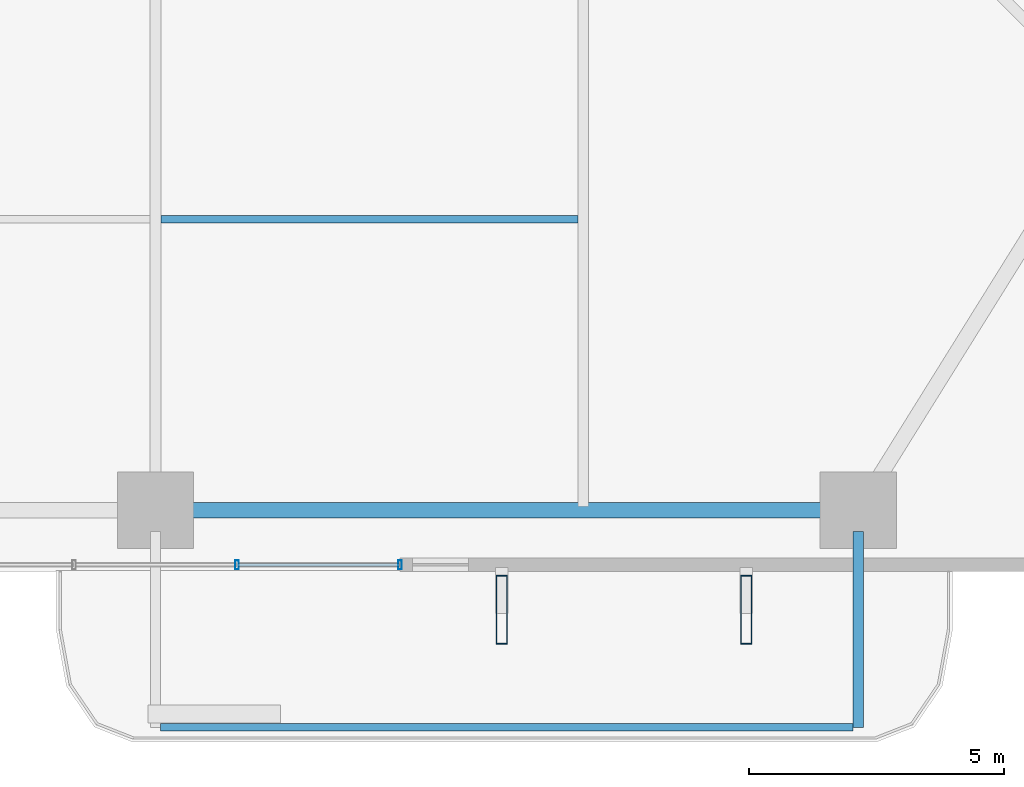
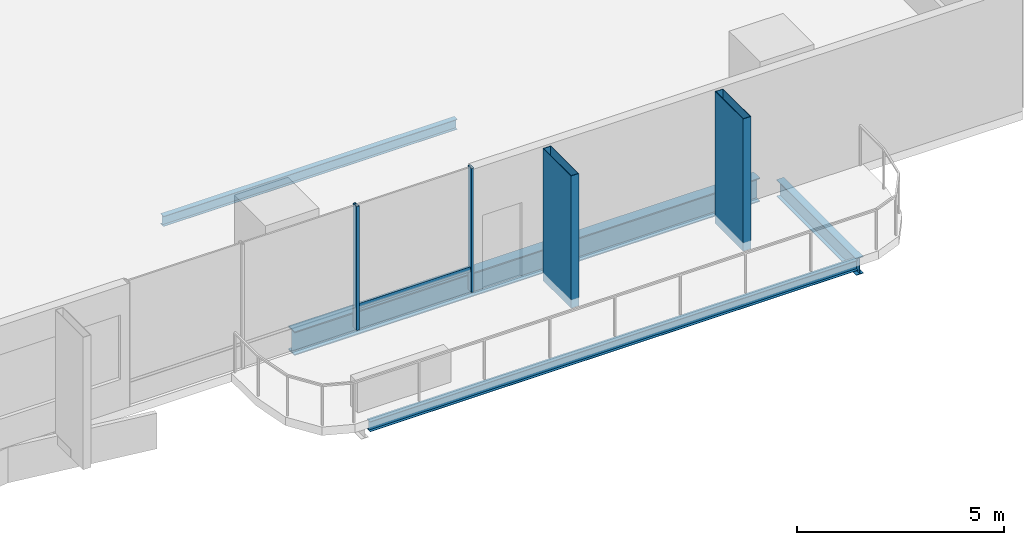
# One storey, part 6 of 23: 5 members, 4 beams, 1 element without a shape of its own.
"""IFC4 building model written with IfcOpenShell, lengths in metres."""

from ifc_helpers import new_model, si_unit, direction, frame, origin, origin_2d, place, context, subcontext, project, spatial, hollow_rectangle, i_section, extrude, material, layer, layer_set, material_profile, profile_set, type_object, element, aggregate, save


model = new_model("IFC4")

# Units and contexts
model_context = context("Model", 3, precision=1e-05, world=origin(), true_north=direction((0.0, 1.0)))
body_context = subcontext(model_context, "Body", "Model", "MODEL_VIEW")
ifc_project = project(units=[si_unit("LENGTHUNIT", "METRE"), si_unit("AREAUNIT", "SQUARE_METRE"), si_unit("VOLUMEUNIT", "CUBIC_METRE"), si_unit("PLANEANGLEUNIT", "RADIAN"), si_unit("MASSUNIT", "GRAM", prefix="KILO")], contexts=[model_context])

# Site, building, storey
site_placement = place(None, origin())
site = spatial("IfcSite", under=ifc_project, at=site_placement, CompositionType="ELEMENT")
building_placement = place(site_placement, origin())
building = spatial("IfcBuilding", under=site, at=building_placement, Name="Belovzor Exchange Tower", CompositionType="ELEMENT")
storey_placement = place(building_placement, frame((0.0, 0.0, 84.60009765625)))
storey = spatial("IfcBuildingStorey", under=building, at=storey_placement, Name="L20", CompositionType="ELEMENT", Elevation=84.60009765625)

# Members
ifc_material_1 = material(Name="Extruded Architectural Terracotta on Steel S355 Carrier", Category="masonry")
ifc_material_profile_1 = material_profile(ifc_material_1, hollow_rectangle(XDim=0.219970703125, YDim=1.35009765625, WallThickness=0.013916015625, at=origin_2d()))
ifc_profile_set_1 = profile_set([ifc_material_profile_1], Name="Extruded Architectural Terracotta on Steel S355 Carrier")
member_type_1 = type_object("IfcMemberType", Name="Base Arc Sweeping Terracotta Pylon Fin 1450", PredefinedType="USERDEFINED", material=ifc_profile_set_1)
for number, where, z_axis, x_axis, name in (
    (1, (35.60009765625, 0.14990234375, -0.25), (0.0, 0.0, 1.0), (1.0, 0.0, 0.0), "FIN-TC145 Terracotta Facade Fin L20 S3"),
    (2, (40.39990234375, 0.14990234375, -0.25), (0.0, 0.0, 1.0), (1.0, 0.0, 0.0), "FIN-TC145 Terracotta Facade Fin L20 S4"),
):
    element("IfcMember", number, at=place(storey_placement, frame(where, z_axis=z_axis, x_axis=x_axis)), inside=storey, type_object=member_type_1, Name=name, ObjectType="FIN", PredefinedType="USERDEFINED", context=body_context, shape_type="SweptSolid", body=[
        extrude(hollow_rectangle(XDim=0.219970703125, YDim=1.35009765625, WallThickness=0.013916015625, at=origin_2d()), origin(), (0.0, 0.0, 1.0), 3.89990234375),
    ])

# Beams
ifc_material_2 = material(Name="Steel S355", Category="steel")
ifc_material_profile_2 = material_profile(ifc_material_2, i_section(OverallWidth=0.199951171875, OverallDepth=0.5, WebThickness=0.01025390625, FlangeThickness=0.01611328125, at=origin_2d()))
ifc_profile_set_2 = profile_set([ifc_material_profile_2], Name="Steel S355")
beam_type_1 = type_object("IfcBeamType", Name="Planted Balcony Cantilever Beam IPE 500", PredefinedType="BEAM", material=ifc_profile_set_2)
beam_1_placement = place(storey_placement, frame((42.60009765625, 1.68798828125, -0.5), z_axis=(0.0, -1.0, 0.0), x_axis=(1.0, 0.0, 0.0)))
element("IfcBeam", 3, at=beam_1_placement, inside=storey, type_object=beam_type_1, Name="BC-500 Planted Balcony Cantilever Beam IPE 500", PredefinedType="BEAM", context=body_context, shape_type="SweptSolid", body=[
    extrude(i_section(OverallWidth=0.199951171875, OverallDepth=0.5, WebThickness=0.01025390625, FlangeThickness=0.01611328125, at=origin_2d()), origin(), (0.0, 0.0, 1.0), 3.85009765625),
])
ifc_material_3 = material(Name="Steel S355", Category="steel")
ifc_material_profile_3 = material_profile(ifc_material_3, i_section(OverallWidth=0.14990234375, OverallDepth=0.300048828125, WebThickness=0.007080078125, FlangeThickness=0.0107421875, at=origin_2d()))
ifc_profile_set_3 = profile_set([ifc_material_profile_3], Name="Steel S355")
beam_type_2 = type_object("IfcBeamType", Name="Planted Balcony Fascia Edge Beam IPE 300", PredefinedType="BEAM", material=ifc_profile_set_3)
beam_2_placement = place(storey_placement, frame((28.89990234375, -2.162109375, -0.400146484375), z_axis=(1.0, 0.0, 0.0), x_axis=(0.0, 1.0, 0.0)))
element("IfcBeam", 4, at=beam_2_placement, inside=storey, type_object=beam_type_2, Name="BC-300 Planted Balcony Fascia Edge Beam IPE 300", PredefinedType="BEAM", context=body_context, shape_type="SweptSolid", body=[
    extrude(i_section(OverallWidth=0.14990234375, OverallDepth=0.300048828125, WebThickness=0.007080078125, FlangeThickness=0.0107421875, at=origin_2d()), origin(), (0.0, 0.0, 1.0), 13.60009765625),
])
ifc_material_4 = material(Name="Steel S355", Category="steel")
ifc_material_profile_4 = material_profile(ifc_material_4, i_section(OverallWidth=0.14990234375, OverallDepth=0.300048828125, WebThickness=0.007080078125, FlangeThickness=0.0107421875, at=origin_2d()))
ifc_profile_set_4 = profile_set([ifc_material_profile_4], Name="Steel S355")
beam_type_3 = type_object("IfcBeamType", Name="Secondary Trim Floor Joist IPE 300", PredefinedType="BEAM", material=ifc_profile_set_4)
beam_3_placement = place(storey_placement, frame((28.905029296875, 7.81494140625, -0.400146484375), z_axis=(1.0, 0.0, 0.0), x_axis=(0.0, 1.0, 0.0)))
element("IfcBeam", 5, at=beam_3_placement, inside=storey, type_object=beam_type_3, Name="FJ-300 Secondary Trim Floor Joist IPE 300", PredefinedType="BEAM", context=body_context, shape_type="SweptSolid", body=[
    extrude(i_section(OverallWidth=0.14990234375, OverallDepth=0.300048828125, WebThickness=0.007080078125, FlangeThickness=0.0107421875, at=origin_2d()), origin(), (0.0, 0.0, 1.0), 8.18994140625),
])

# Curtain wall, members
ifc_material_5 = material(Name="Anodised Aluminium Framing", Category="aluminium")
ifc_layer = layer(ifc_material_5, 0.179931640625)
ifc_layer_set = layer_set([ifc_layer], Name="Anodised Aluminium Framing")
curtain_wall_type = type_object("IfcCurtainWallType", Name="Recessed Loggia Low-Iron Triple-Glazed Curtain Wall", PredefinedType="NOTDEFINED", material=ifc_layer_set)
curtain_wall_placement = place(storey_placement, origin())
curtain_wall = element("IfcCurtainWall", 6, at=curtain_wall_placement, inside=storey, type_object=curtain_wall_type, Name="CW3 Recessed Loggia Low-Iron Triple-Glazed Curtain Wall L20", PredefinedType="NOTDEFINED")
ifc_material_6 = material(Name="Steel S355", Category="steel")
ifc_material_profile_5 = material_profile(ifc_material_6, hollow_rectangle(XDim=0.074951171875, YDim=0.179931640625, WallThickness=0.0048828125, at=origin_2d()))
ifc_profile_set_5 = profile_set([ifc_material_profile_5], Name="Steel S355")
member_type_2 = type_object("IfcMemberType", Name="Thermally Broken Curtain Wall Mullion 180x75", PredefinedType="MULLION", material=ifc_profile_set_5)
member_1_placement = place(storey_placement, frame((33.60009765625, 1.030029296875, 0.0), z_axis=(0.0, 0.0, 1.0), x_axis=(-1.0, 0.0, 0.0)))
member_1 = element("IfcMember", 7, at=member_1_placement, type_object=member_type_2, Name="CW-M180 Curtain Wall Mullion 1", PredefinedType="MULLION", context=body_context, shape_type="SweptSolid", body=[
    extrude(hollow_rectangle(XDim=0.074951171875, YDim=0.179931640625, WallThickness=0.0048828125, at=origin_2d()), origin(), (0.0, 0.0, 1.0), 3.64990234375),
])
member_2_placement = place(storey_placement, frame((30.39990234375, 1.030029296875, 0.0), z_axis=(0.0, 0.0, 1.0), x_axis=(-1.0, 0.0, 0.0)))
member_2 = element("IfcMember", 8, at=member_2_placement, type_object=member_type_2, Name="CW-M180 Curtain Wall Mullion 2", PredefinedType="MULLION", context=body_context, shape_type="SweptSolid", body=[
    extrude(hollow_rectangle(XDim=0.074951171875, YDim=0.179931640625, WallThickness=0.0048828125, at=origin_2d()), origin(), (0.0, 0.0, 1.0), 3.64990234375),
])
ifc_material_7 = material(Name="Steel S355", Category="steel")
ifc_material_profile_6 = material_profile(ifc_material_7, hollow_rectangle(XDim=0.06005859375, YDim=0.14990234375, WallThickness=0.00390625, at=origin_2d()))
ifc_profile_set_6 = profile_set([ifc_material_profile_6], Name="Steel S355")
member_type_3 = type_object("IfcMemberType", Name="Thermally Broken Curtain Wall Transom 150x60", PredefinedType="USERDEFINED", material=ifc_profile_set_6)
member_3_placement = place(storey_placement, frame((33.592041015625, 1.030029296875, 0.64990234375), z_axis=(-1.0, 0.0, 0.0), x_axis=(0.0, -1.0, 0.0)))
member_3 = element("IfcMember", 9, at=member_3_placement, type_object=member_type_3, Name="CW-T150 Curtain Wall Transom 1", ObjectType="TRANSOM", PredefinedType="USERDEFINED", context=body_context, shape_type="SweptSolid", body=[
    extrude(hollow_rectangle(XDim=0.06005859375, YDim=0.14990234375, WallThickness=0.00390625, at=origin_2d()), origin(), (0.0, 0.0, 1.0), 3.18408203125),
])
aggregate(curtain_wall, [member_1, member_2, member_3])

# Beam
ifc_material_8 = material(Name="Steel S355", Category="steel")
ifc_material_profile_7 = material_profile(ifc_material_8, i_section(OverallWidth=0.300048828125, OverallDepth=0.699951171875, WebThickness=0.01708984375, FlangeThickness=0.031982421875, at=origin_2d()))
ifc_profile_set_7 = profile_set([ifc_material_profile_7], Name="Steel S355")
beam_type_4 = type_object("IfcBeamType", Name="Zone 1 Primary Perimeter Girder HEB 700", PredefinedType="BEAM", material=ifc_profile_set_7)
beam_4_placement = place(storey_placement, frame((29.212890625, 2.10009765625, -0.60009765625), z_axis=(1.0, 0.0, 0.0), x_axis=(0.0, 1.0, 0.0)))
element("IfcBeam", 10, at=beam_4_placement, inside=storey, type_object=beam_type_4, Name="FG-Z1 Zone 1 Primary Perimeter Girder HEB 700", PredefinedType="BEAM", context=body_context, shape_type="SweptSolid", body=[
    extrude(i_section(OverallWidth=0.300048828125, OverallDepth=0.699951171875, WebThickness=0.01708984375, FlangeThickness=0.031982421875, at=origin_2d()), origin(), (0.0, 0.0, 1.0), 12.97509765625),
])

save(model, "model.ifc")
